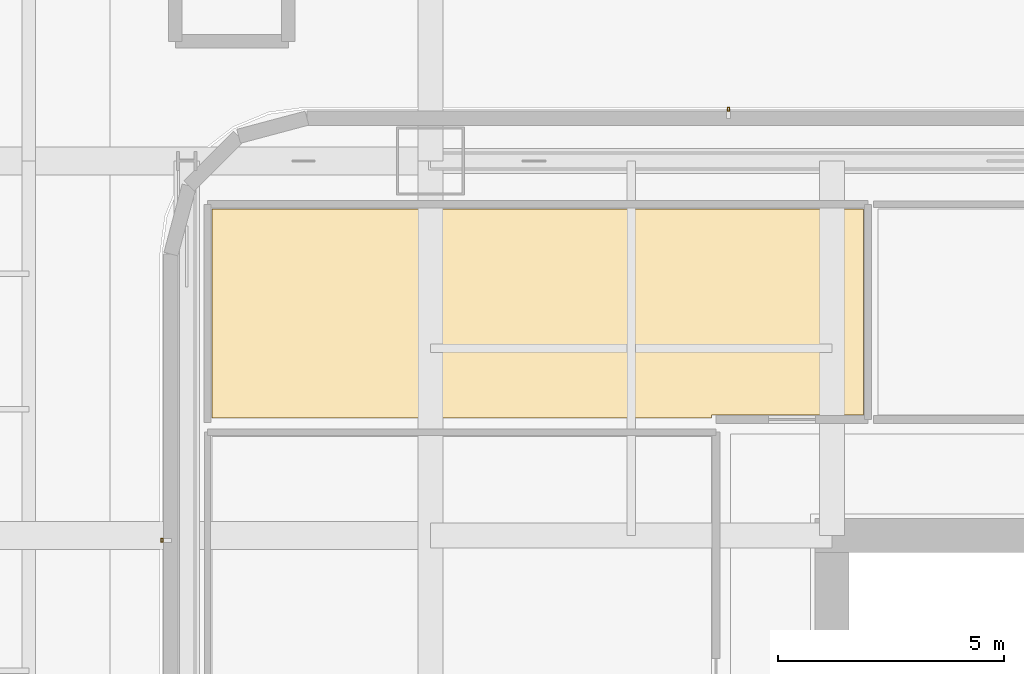
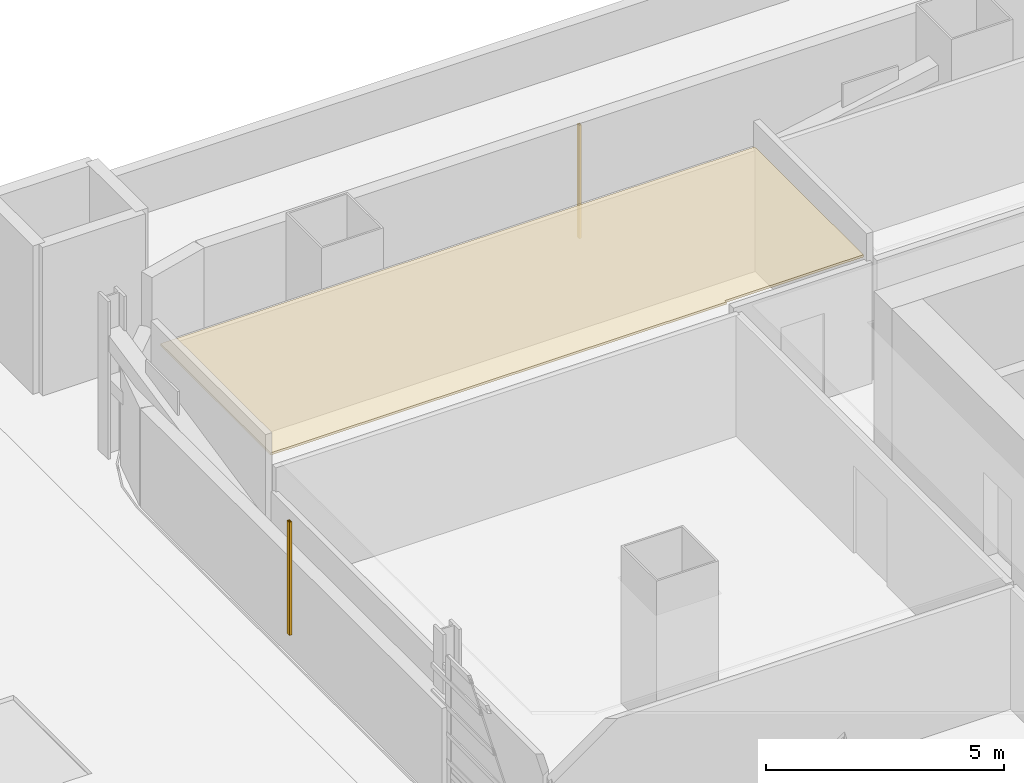
# One storey, part 27 of 30: 2 shading devices, 1 covering.
"""IFC4 building model written with IfcOpenShell, lengths in metres."""

from ifc_helpers import new_model, si_unit, direction, frame, origin, origin_2d, place, context, subcontext, project, spatial, polyline, hollow_rectangle, outline, extrude, material, layer, layer_set, material_profile, profile_set, type_object, element, save


model = new_model("IFC4")

# Units and contexts
model_context = context("Model", 3, precision=1e-05, world=origin(), true_north=direction((0.0, 1.0)))
body_context = subcontext(model_context, "Body", "Model", "MODEL_VIEW")
ifc_project = project(units=[si_unit("LENGTHUNIT", "METRE"), si_unit("AREAUNIT", "SQUARE_METRE"), si_unit("VOLUMEUNIT", "CUBIC_METRE"), si_unit("PLANEANGLEUNIT", "RADIAN"), si_unit("MASSUNIT", "GRAM", prefix="KILO")], contexts=[model_context])

# Site, building, storey
site_placement = place(None, origin())
site = spatial("IfcSite", under=ifc_project, at=site_placement, CompositionType="ELEMENT")
building_placement = place(site_placement, origin())
building = spatial("IfcBuilding", under=site, at=building_placement, Name="Punatoya Terracotta Tower", CompositionType="ELEMENT")
storey_placement = place(building_placement, frame((0.0, 0.0, 28.199951171875)))
storey = spatial("IfcBuildingStorey", under=building, at=storey_placement, Name="L05", CompositionType="ELEMENT", Elevation=28.199951171875)

# Covering
ifc_material_1 = material(Name="Acoustic Mineral Fibre Ceiling")
ifc_layer = layer(ifc_material_1, 0.06005859375)
ifc_layer_set = layer_set([ifc_layer], Name="Acoustic Mineral Fibre Ceiling")
covering_type = type_object("IfcCoveringType", Name="COV-CEIL-60", PredefinedType="CEILING", material=ifc_layer_set)
covering_placement = place(storey_placement, frame((0.0, 0.0, 3.16015625)))
element("IfcCovering", 1, at=covering_placement, inside=storey, type_object=covering_type, Name="L05 Staff Tea Pantry Acoustic Ceiling", PredefinedType="CEILING", context=body_context, shape_type="SweptSolid", body=[
    extrude(outline(polyline([(-12.8701171875, 11.81005859375), (-12.8701171875, 11.8701171875), (-9.5048828125, 11.8701171875), (-9.5048828125, 16.43994140625), (-23.93994140625, 16.43994140625), (-23.93994140625, 11.81005859375), (-12.8701171875, 11.81005859375)])), origin(), (0.0, 0.0, 1.0), 0.059814453125),
])

# Shading devices
ifc_material_2 = material(Name="Architectural Fired Terracotta", Category="masonry")
ifc_material_profile = material_profile(ifc_material_2, hollow_rectangle(XDim=0.06005859375, YDim=0.090087890625, WallThickness=0.013916015625, at=origin_2d()))
ifc_profile_set = profile_set([ifc_material_profile], Name="Architectural Fired Terracotta")
shading_device_type = type_object("IfcShadingDeviceType", Name="SHD-JALI-90", PredefinedType="JALOUSIE", material=ifc_profile_set)
for number, where, z_axis, x_axis, name in (
    (2, (-12.493408203125, 18.64990234375, 0.60009765625), (0.0, 0.0, 1.0), (1.0, 0.0, 0.0), "L05 Braced Bay Terracotta Jali Fin N2"),
    (3, (-25.050048828125, 9.093505859375, 0.60009765625), (0.0, 0.0, 1.0), (1.0, 0.0, 0.0), "L05 Braced Bay Terracotta Jali Fin W1"),
):
    element("IfcShadingDevice", number, at=place(storey_placement, frame(where, z_axis=z_axis, x_axis=x_axis)), inside=storey, type_object=shading_device_type, Name=name, PredefinedType="JALOUSIE", context=body_context, shape_type="SweptSolid", body=[
        extrude(hollow_rectangle(XDim=0.06005859375, YDim=0.090087890625, WallThickness=0.013916015625, at=origin_2d()), origin(), (0.0, 0.0, 1.0), 2.909912109375),
    ])

save(model, "model.ifc")
